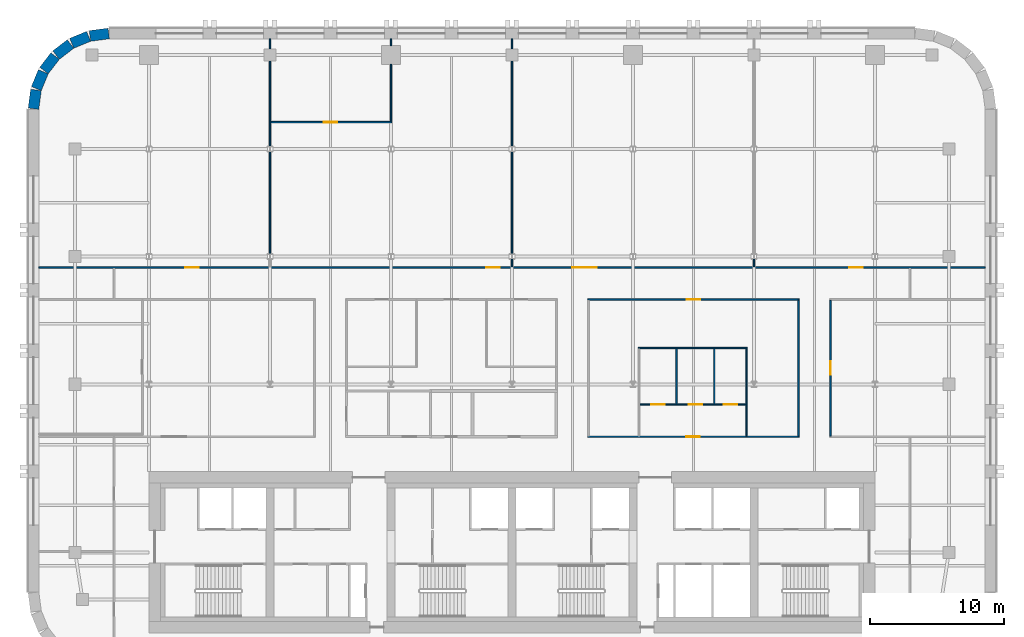
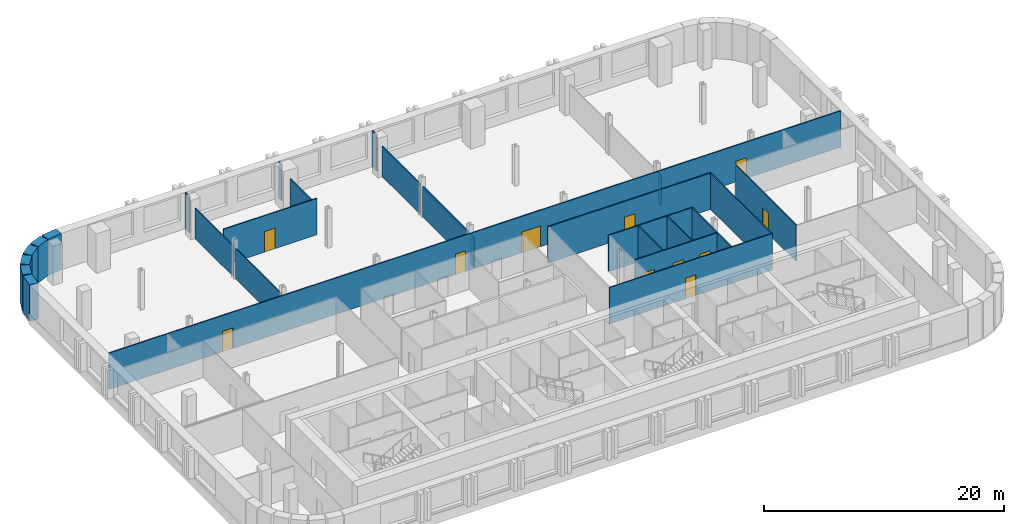
# One storey, part 7 of 11: 27 walls, 11 doors, 11 openings.
"""IFC4 building model written with IfcOpenShell, lengths in metres."""

from ifc_helpers import new_model, si_unit, direction, frame, frame_2d, origin, place, context, subcontext, project, spatial, rectangle, extrude, material, layer, layer_set, type_object, element, fill, save


model = new_model("IFC4")

# Units and contexts
model_context = context("Model", 3, precision=1e-05, world=origin(), true_north=direction((0.0, 1.0)))
body_context = subcontext(model_context, "Body", "Model", "MODEL_VIEW")
ifc_project = project(units=[si_unit("LENGTHUNIT", "METRE"), si_unit("AREAUNIT", "SQUARE_METRE"), si_unit("VOLUMEUNIT", "CUBIC_METRE"), si_unit("PLANEANGLEUNIT", "RADIAN"), si_unit("MASSUNIT", "GRAM", prefix="KILO")], contexts=[model_context])

# Site, building, storey
site_placement = place(None, origin())
site = spatial("IfcSite", under=ifc_project, at=site_placement, CompositionType="ELEMENT")
building_placement = place(site_placement, origin())
building = spatial("IfcBuilding", under=site, at=building_placement, Name="Zellij Exchange Tower", CompositionType="ELEMENT")
storey_placement = place(building_placement, frame((0.0, 0.0, 208.5)))
storey = spatial("IfcBuildingStorey", under=building, at=storey_placement, Name="L48", CompositionType="ELEMENT", Elevation=208.5)

# Walls
ifc_material_1 = material(Name="Precast concrete C40/50", Category="concrete")
ifc_layer_1 = layer(ifc_material_1, 0.800048828125)
ifc_layer_set_1 = layer_set([ifc_layer_1], Name="Precast concrete C40/50")
wall_type_1 = type_object("IfcWallType", Name="ENV-EW1 Precast stone-piered wall 800", PredefinedType="SOLIDWALL", material=ifc_layer_set_1)
wall_1_placement = place(storey_placement, frame((-29.999755859375, 30.5966796875, 0.0), z_axis=(0.0, 0.0, 1.0), x_axis=(-0.99144603414, -0.130517283865, 0.0)))
element("IfcWall", 1, at=wall_1_placement, inside=storey, type_object=wall_type_1, Name="fac.L48.15", PredefinedType="SOLIDWALL", context=body_context, shape_type="SweptSolid", body=[
    extrude(rectangle(XDim=1.408447265625, YDim=0.800048828125, at=frame_2d((0.7041015625, 0.0))), origin(), (0.0, 0.0, 1.0), 3.699951171875),
])
wall_2_placement = place(storey_placement, frame((-31.497314453125, 30.3857421875, 0.0), z_axis=(0.0, 0.0, 1.0), x_axis=(-0.923847774587, -0.38276009378, 0.0)))
element("IfcWall", 2, at=wall_2_placement, inside=storey, type_object=wall_type_1, Name="fac.L48.16", PredefinedType="SOLIDWALL", context=body_context, shape_type="SweptSolid", body=[
    extrude(rectangle(XDim=1.35546875, YDim=0.800048828125, at=frame_2d((0.677734375, 0.0))), origin(), (0.0, 0.0, 1.0), 3.699951171875),
])
for number, where, z_axis, x_axis, name in (
    (3, (-32.840087890625, 29.814697265625, 0.0), (0.0, 0.0, 1.0), (-0.793272915452, -0.608866226366, 0.0), "fac.L48.17"),
    (4, (-33.9892578125, 28.91552734375, 0.0), (0.0, 0.0, 1.0), (-0.608866226366, -0.793272915452, 0.0), "fac.L48.18"),
):
    element("IfcWall", number, at=place(storey_placement, frame(where, z_axis=z_axis, x_axis=x_axis)), inside=storey, type_object=wall_type_1, Name=name, PredefinedType="SOLIDWALL", context=body_context, shape_type="SweptSolid", body=[
        extrude(rectangle(XDim=1.355712890625, YDim=0.800048828125, at=frame_2d((0.677734375, 0.0))), origin(), (0.0, 0.0, 1.0), 3.699951171875),
    ])
wall_3_placement = place(storey_placement, frame((-34.866943359375, 27.74951171875, 0.0), z_axis=(0.0, 0.0, 1.0), x_axis=(-0.38276009378, -0.923847774587, 0.0)))
element("IfcWall", 5, at=wall_3_placement, inside=storey, type_object=wall_type_1, Name="fac.L48.19", PredefinedType="SOLIDWALL", context=body_context, shape_type="SweptSolid", body=[
    extrude(rectangle(XDim=1.35546875, YDim=0.800048828125, at=frame_2d((0.677734375, 0.0))), origin(), (0.0, 0.0, 1.0), 3.699951171875),
])
wall_4_placement = place(storey_placement, frame((-35.412841796875, 26.396240234375, 0.0), z_axis=(0.0, 0.0, 1.0), x_axis=(-0.130517283865, -0.99144603414, 0.0)))
element("IfcWall", 6, at=wall_4_placement, inside=storey, type_object=wall_type_1, Name="fac.L48.20", PredefinedType="SOLIDWALL", context=body_context, shape_type="SweptSolid", body=[
    extrude(rectangle(XDim=1.408447265625, YDim=0.800048828125, at=frame_2d((0.7041015625, 0.0))), origin(), (0.0, 0.0, 1.0), 3.699951171875),
])

# Wall, opening, door
ifc_material_2 = material(Name="Gypsum board partition on steel studs", Category="steel")
ifc_layer_2 = layer(ifc_material_2, 0.10009765625)
ifc_layer_set_2 = layer_set([ifc_layer_2], Name="Gypsum board partition on steel studs")
wall_type_2 = type_object("IfcWallType", Name="FIT-PARTITION-100", PredefinedType="PARTITIONING", material=ifc_layer_set_2)
wall_5_placement = place(storey_placement, frame((5.64990234375, 0.60009765625, 0.0), z_axis=(0.0, 0.0, 1.0), x_axis=(1.0, 0.0, 0.0)))
wall_5 = element("IfcWall", 7, at=wall_5_placement, inside=storey, type_object=wall_type_2, Name="FIT-PARTITION-100 014", PredefinedType="PARTITIONING", context=body_context, shape_type="SweptSolid", body=[
    extrude(rectangle(XDim=15.7001953125, YDim=0.10009765625, at=frame_2d((7.85009765625, 0.0))), origin(), (0.0, 0.0, 1.0), 3.699951171875),
])
opening_1_placement = place(wall_5_placement, frame((7.300048828125, 0.0, 0.0)))
opening_1 = element("IfcOpeningElement", 8, at=opening_1_placement, cuts=wall_5, Name="Opening O3E.08", PredefinedType="OPENING", context=body_context, shape_type="SweptSolid", body=[
    extrude(rectangle(XDim=1.0, YDim=2.10009765625, at=frame_2d((0.5, 1.050048828125))), frame((0.0, 0.06201171875, 0.0), z_axis=(0.0, -1.0, 0.0), x_axis=(1.0, 0.0, 0.0)), (0.0, 0.0, 1.0), 0.1240234375),
])
ifc_material_3 = material(Name="Timber door set", Category="wood")
door_type_1 = type_object("IfcDoorType", Name="FIT-D2-WIDE-1000X2100", OperationType="SINGLE_SWING_LEFT", PredefinedType="DOOR", material=ifc_material_3)
door_1_placement = place(opening_1_placement, origin())
door_1 = element("IfcDoor", 9, at=door_1_placement, inside=storey, type_object=door_type_1, Name="Door O3E.08", OperationType="SINGLE_SWING_RIGHT", OverallHeight=2.10009765625, OverallWidth=1.0, PredefinedType="DOOR", context=body_context, shape_type="SweptSolid", body=[
    extrude(rectangle(XDim=1.0, YDim=2.10009765625, at=frame_2d((0.5, 1.050048828125))), frame((0.0, 0.02490234375, 0.0), z_axis=(0.0, -1.0, 0.0), x_axis=(1.0, 0.0, 0.0)), (0.0, 0.0, 1.0), 0.050048828125),
])
fill(opening_1, door_1)

# Walls
wall_6_placement = place(storey_placement, frame((17.449951171875, 0.64990234375, 0.0), z_axis=(0.0, 0.0, 1.0), x_axis=(0.0, 1.0, 0.0)))
element("IfcWall", 10, at=wall_6_placement, inside=storey, type_object=wall_type_2, Name="FIT-PARTITION-100 017", PredefinedType="PARTITIONING", context=body_context, shape_type="SweptSolid", body=[
    extrude(rectangle(XDim=6.5, YDim=0.10009765625, at=frame_2d((3.25, 0.0))), origin(), (0.0, 0.0, 1.0), 3.699951171875),
])
wall_7_placement = place(storey_placement, frame((21.300048828125, 0.64990234375, 0.0), z_axis=(0.0, 0.0, 1.0), x_axis=(0.0, 1.0, 0.0)))
element("IfcWall", 11, at=wall_7_placement, inside=storey, type_object=wall_type_2, Name="FIT-PARTITION-100 018", PredefinedType="PARTITIONING", context=body_context, shape_type="SweptSolid", body=[
    extrude(rectangle(XDim=10.10009765625, YDim=0.10009765625, at=frame_2d((5.050048828125, 0.0))), origin(), (0.0, 0.0, 1.0), 3.699951171875),
])

# Wall, opening, door
wall_8_placement = place(storey_placement, frame((23.699951171875, 0.64990234375, 0.0), z_axis=(0.0, 0.0, 1.0), x_axis=(0.0, 1.0, 0.0)))
wall_8 = element("IfcWall", 12, at=wall_8_placement, inside=storey, type_object=wall_type_2, Name="FIT-PARTITION-100 020", PredefinedType="PARTITIONING", context=body_context, shape_type="SweptSolid", body=[
    extrude(rectangle(XDim=10.10009765625, YDim=0.10009765625, at=frame_2d((5.050048828125, 0.0))), origin(), (0.0, 0.0, 1.0), 3.699951171875),
])
opening_2_placement = place(wall_8_placement, frame((4.550048828125, 0.0, 0.0)))
opening_2 = element("IfcOpeningElement", 13, at=opening_2_placement, cuts=wall_8, Name="Opening O3E.13", PredefinedType="OPENING", context=body_context, shape_type="SweptSolid", body=[
    extrude(rectangle(XDim=1.0, YDim=2.10009765625, at=frame_2d((0.5, 1.050048828125))), frame((0.0, 0.06201171875, 0.0), z_axis=(0.0, -1.0, 0.0), x_axis=(1.0, 0.0, 0.0)), (0.0, 0.0, 1.0), 0.1240234375),
])
door_2_placement = place(opening_2_placement, origin())
door_2 = element("IfcDoor", 14, at=door_2_placement, inside=storey, type_object=door_type_1, Name="Door O3E.13", OperationType="SINGLE_SWING_LEFT", OverallHeight=2.10009765625, OverallWidth=1.0, PredefinedType="DOOR", context=body_context, shape_type="SweptSolid", body=[
    extrude(rectangle(XDim=1.0, YDim=2.10009765625, at=frame_2d((0.5, 1.050048828125))), frame((0.0, 0.02490234375, 0.0), z_axis=(0.0, -1.0, 0.0), x_axis=(1.0, 0.0, 0.0)), (0.0, 0.0, 1.0), 0.050048828125),
])
fill(opening_2, door_2)

# Wall, openings, doors
wall_9_placement = place(storey_placement, frame((9.5, 3.0, 0.0), z_axis=(0.0, 0.0, 1.0), x_axis=(1.0, 0.0, 0.0)))
wall_9 = element("IfcWall", 15, at=wall_9_placement, inside=storey, type_object=wall_type_2, Name="FIT-PARTITION-100 023", PredefinedType="PARTITIONING", context=body_context, shape_type="SweptSolid", body=[
    extrude(rectangle(XDim=7.89990234375, YDim=0.10009765625, at=frame_2d((3.949951171875, 0.0))), origin(), (0.0, 0.0, 1.0), 3.699951171875),
])
opening_3_placement = place(wall_9_placement, frame((0.85009765625, 0.0, 0.0)))
opening_3 = element("IfcOpeningElement", 16, at=opening_3_placement, cuts=wall_9, Name="Opening O3E.10", PredefinedType="OPENING", context=body_context, shape_type="SweptSolid", body=[
    extrude(rectangle(XDim=1.0, YDim=2.10009765625, at=frame_2d((0.5, 1.050048828125))), frame((0.0, 0.06201171875, 0.0), z_axis=(0.0, -1.0, 0.0), x_axis=(1.0, 0.0, 0.0)), (0.0, 0.0, 1.0), 0.1240234375),
])
opening_4_placement = place(wall_9_placement, frame((3.64990234375, 0.0, 0.0)))
opening_4 = element("IfcOpeningElement", 17, at=opening_4_placement, cuts=wall_9, Name="Opening O3E.11", PredefinedType="OPENING", context=body_context, shape_type="SweptSolid", body=[
    extrude(rectangle(XDim=1.0, YDim=2.10009765625, at=frame_2d((0.5, 1.050048828125))), frame((0.0, 0.06201171875, 0.0), z_axis=(0.0, -1.0, 0.0), x_axis=(1.0, 0.0, 0.0)), (0.0, 0.0, 1.0), 0.1240234375),
])
opening_5_placement = place(wall_9_placement, frame((6.25, 0.0, 0.0)))
opening_5 = element("IfcOpeningElement", 18, at=opening_5_placement, cuts=wall_9, Name="Opening O3E.12", PredefinedType="OPENING", context=body_context, shape_type="SweptSolid", body=[
    extrude(rectangle(XDim=1.0, YDim=2.10009765625, at=frame_2d((0.5, 1.050048828125))), frame((0.0, 0.06201171875, 0.0), z_axis=(0.0, -1.0, 0.0), x_axis=(1.0, 0.0, 0.0)), (0.0, 0.0, 1.0), 0.1240234375),
])
door_3_placement = place(opening_3_placement, origin())
door_3 = element("IfcDoor", 19, at=door_3_placement, inside=storey, type_object=door_type_1, Name="Door O3E.10", OperationType="SINGLE_SWING_RIGHT", OverallHeight=2.10009765625, OverallWidth=1.0, PredefinedType="DOOR", context=body_context, shape_type="SweptSolid", body=[
    extrude(rectangle(XDim=1.0, YDim=2.10009765625, at=frame_2d((0.5, 1.050048828125))), frame((0.0, 0.02490234375, 0.0), z_axis=(0.0, -1.0, 0.0), x_axis=(1.0, 0.0, 0.0)), (0.0, 0.0, 1.0), 0.050048828125),
])
fill(opening_3, door_3)
door_4_placement = place(opening_4_placement, origin())
door_4 = element("IfcDoor", 20, at=door_4_placement, inside=storey, type_object=door_type_1, Name="Door O3E.11", OperationType="SINGLE_SWING_RIGHT", OverallHeight=2.10009765625, OverallWidth=1.0, PredefinedType="DOOR", context=body_context, shape_type="SweptSolid", body=[
    extrude(rectangle(XDim=1.0, YDim=2.10009765625, at=frame_2d((0.5, 1.050048828125))), frame((0.0, 0.02490234375, 0.0), z_axis=(0.0, -1.0, 0.0), x_axis=(1.0, 0.0, 0.0)), (0.0, 0.0, 1.0), 0.050048828125),
])
fill(opening_4, door_4)
door_5_placement = place(opening_5_placement, origin())
door_5 = element("IfcDoor", 21, at=door_5_placement, inside=storey, type_object=door_type_1, Name="Door O3E.12", OperationType="SINGLE_SWING_RIGHT", OverallHeight=2.10009765625, OverallWidth=1.0, PredefinedType="DOOR", context=body_context, shape_type="SweptSolid", body=[
    extrude(rectangle(XDim=1.0, YDim=2.10009765625, at=frame_2d((0.5, 1.050048828125))), frame((0.0, 0.02490234375, 0.0), z_axis=(0.0, -1.0, 0.0), x_axis=(1.0, 0.0, 0.0)), (0.0, 0.0, 1.0), 0.050048828125),
])
fill(opening_5, door_5)

# Walls
for number, where, z_axis, x_axis, name in (
    (22, (12.25, 3.050048828125, 0.0), (0.0, 0.0, 1.0), (0.0, 1.0, 0.0), "FIT-PARTITION-100 024"),
    (23, (15.050048828125, 3.050048828125, 0.0), (0.0, 0.0, 1.0), (0.0, 1.0, 0.0), "FIT-PARTITION-100 025"),
):
    element("IfcWall", number, at=place(storey_placement, frame(where, z_axis=z_axis, x_axis=x_axis)), inside=storey, type_object=wall_type_2, Name=name, PredefinedType="PARTITIONING", context=body_context, shape_type="SweptSolid", body=[
        extrude(rectangle(XDim=4.099853515625, YDim=0.10009765625, at=frame_2d((2.0498046875, 0.0))), origin(), (0.0, 0.0, 1.0), 3.699951171875),
    ])
wall_10_placement = place(storey_placement, frame((9.39990234375, 7.199951171875, 0.0), z_axis=(0.0, 0.0, 1.0), x_axis=(1.0, 0.0, 0.0)))
element("IfcWall", 24, at=wall_10_placement, inside=storey, type_object=wall_type_2, Name="FIT-PARTITION-100 034", PredefinedType="PARTITIONING", context=body_context, shape_type="SweptSolid", body=[
    extrude(rectangle(XDim=8.10009765625, YDim=0.10009765625, at=frame_2d((4.050048828125, 0.0))), origin(), (0.0, 0.0, 1.0), 3.699951171875),
])

# Wall, opening, door
wall_11_placement = place(storey_placement, frame((5.64990234375, 10.800048828125, 0.0), z_axis=(0.0, 0.0, 1.0), x_axis=(1.0, 0.0, 0.0)))
wall_11 = element("IfcWall", 25, at=wall_11_placement, inside=storey, type_object=wall_type_2, Name="FIT-PARTITION-100 038", PredefinedType="PARTITIONING", context=body_context, shape_type="SweptSolid", body=[
    extrude(rectangle(XDim=15.7001953125, YDim=0.10009765625, at=frame_2d((7.85009765625, 0.0))), origin(), (0.0, 0.0, 1.0), 3.699951171875),
])
opening_6_placement = place(wall_11_placement, frame((7.35009765625, 0.0, 0.0)))
opening_6 = element("IfcOpeningElement", 26, at=opening_6_placement, cuts=wall_11, Name="Opening O3E.18", PredefinedType="OPENING", context=body_context, shape_type="SweptSolid", body=[
    extrude(rectangle(XDim=1.0, YDim=2.10009765625, at=frame_2d((0.5, 1.050048828125))), frame((0.0, 0.06201171875, 0.0), z_axis=(0.0, -1.0, 0.0), x_axis=(1.0, 0.0, 0.0)), (0.0, 0.0, 1.0), 0.1240234375),
])
door_6_placement = place(opening_6_placement, origin())
door_6 = element("IfcDoor", 27, at=door_6_placement, inside=storey, type_object=door_type_1, Name="Door O3E.18", OperationType="SINGLE_SWING_LEFT", OverallHeight=2.10009765625, OverallWidth=1.0, PredefinedType="DOOR", context=body_context, shape_type="SweptSolid", body=[
    extrude(rectangle(XDim=1.0, YDim=2.10009765625, at=frame_2d((0.5, 1.050048828125))), frame((0.0, 0.02490234375, 0.0), z_axis=(0.0, -1.0, 0.0), x_axis=(1.0, 0.0, 0.0)), (0.0, 0.0, 1.0), 0.050048828125),
])
fill(opening_6, door_6)

# Wall, openings, doors
wall_12_placement = place(storey_placement, frame((-35.199951171875, 13.199951171875, 0.0), z_axis=(0.0, 0.0, 1.0), x_axis=(1.0, 0.0, 0.0)))
wall_12 = element("IfcWall", 28, at=wall_12_placement, inside=storey, type_object=wall_type_2, Name="FIT-PARTITION-100 041", PredefinedType="PARTITIONING", context=body_context, shape_type="SweptSolid", body=[
    extrude(rectangle(XDim=70.39990234375, YDim=0.10009765625, at=frame_2d((35.199951171875, 0.0))), origin(), (0.0, 0.0, 1.0), 3.699951171875),
])
opening_7_placement = place(wall_12_placement, frame((10.89990234375, 0.0, 0.0)))
opening_7 = element("IfcOpeningElement", 29, at=opening_7_placement, cuts=wall_12, Name="Opening O3E.19", PredefinedType="OPENING", context=body_context, shape_type="SweptSolid", body=[
    extrude(rectangle(XDim=1.0, YDim=2.10009765625, at=frame_2d((0.5, 1.050048828125))), frame((0.0, 0.06201171875, 0.0), z_axis=(0.0, -1.0, 0.0), x_axis=(1.0, 0.0, 0.0)), (0.0, 0.0, 1.0), 0.1240234375),
])
opening_8_placement = place(wall_12_placement, frame((33.300048828125, 0.0, 0.0)))
opening_8 = element("IfcOpeningElement", 30, at=opening_8_placement, cuts=wall_12, Name="Opening O3E.20", PredefinedType="OPENING", context=body_context, shape_type="SweptSolid", body=[
    extrude(rectangle(XDim=1.0, YDim=2.10009765625, at=frame_2d((0.5, 1.050048828125))), frame((0.0, 0.06201171875, 0.0), z_axis=(0.0, -1.0, 0.0), x_axis=(1.0, 0.0, 0.0)), (0.0, 0.0, 1.0), 0.1240234375),
])
opening_9_placement = place(wall_12_placement, frame((39.699951171875, 0.0, 0.0)))
opening_9 = element("IfcOpeningElement", 31, at=opening_9_placement, cuts=wall_12, Name="Opening O3E.21", PredefinedType="OPENING", context=body_context, shape_type="SweptSolid", body=[
    extrude(rectangle(XDim=1.800048828125, YDim=2.10009765625, at=frame_2d((0.89990234375, 1.050048828125))), frame((0.0, 0.06201171875, 0.0), z_axis=(0.0, -1.0, 0.0), x_axis=(1.0, 0.0, 0.0)), (0.0, 0.0, 1.0), 0.1240234375),
])
opening_10_placement = place(wall_12_placement, frame((60.300048828125, 0.0, 0.0)))
opening_10 = element("IfcOpeningElement", 32, at=opening_10_placement, cuts=wall_12, Name="Opening O3E.22", PredefinedType="OPENING", context=body_context, shape_type="SweptSolid", body=[
    extrude(rectangle(XDim=1.0, YDim=2.10009765625, at=frame_2d((0.5, 1.050048828125))), frame((0.0, 0.06201171875, 0.0), z_axis=(0.0, -1.0, 0.0), x_axis=(1.0, 0.0, 0.0)), (0.0, 0.0, 1.0), 0.1240234375),
])
door_7_placement = place(opening_7_placement, origin())
door_7 = element("IfcDoor", 33, at=door_7_placement, inside=storey, type_object=door_type_1, Name="Door O3E.19", OperationType="SINGLE_SWING_RIGHT", OverallHeight=2.10009765625, OverallWidth=1.0, PredefinedType="DOOR", context=body_context, shape_type="SweptSolid", body=[
    extrude(rectangle(XDim=1.0, YDim=2.10009765625, at=frame_2d((0.5, 1.050048828125))), frame((0.0, 0.02490234375, 0.0), z_axis=(0.0, -1.0, 0.0), x_axis=(1.0, 0.0, 0.0)), (0.0, 0.0, 1.0), 0.050048828125),
])
fill(opening_7, door_7)
door_8_placement = place(opening_8_placement, origin())
door_8 = element("IfcDoor", 34, at=door_8_placement, inside=storey, type_object=door_type_1, Name="Door O3E.20", OperationType="SINGLE_SWING_LEFT", OverallHeight=2.10009765625, OverallWidth=1.0, PredefinedType="DOOR", context=body_context, shape_type="SweptSolid", body=[
    extrude(rectangle(XDim=1.0, YDim=2.10009765625, at=frame_2d((0.5, 1.050048828125))), frame((0.0, 0.02490234375, 0.0), z_axis=(0.0, -1.0, 0.0), x_axis=(1.0, 0.0, 0.0)), (0.0, 0.0, 1.0), 0.050048828125),
])
fill(opening_8, door_8)
door_9_placement = place(opening_10_placement, origin())
door_9 = element("IfcDoor", 35, at=door_9_placement, inside=storey, type_object=door_type_1, Name="Door O3E.22", OperationType="SINGLE_SWING_LEFT", OverallHeight=2.10009765625, OverallWidth=1.0, PredefinedType="DOOR", context=body_context, shape_type="SweptSolid", body=[
    extrude(rectangle(XDim=1.0, YDim=2.10009765625, at=frame_2d((0.5, 1.050048828125))), frame((0.0, 0.02490234375, 0.0), z_axis=(0.0, -1.0, 0.0), x_axis=(1.0, 0.0, 0.0)), (0.0, 0.0, 1.0), 0.050048828125),
])
fill(opening_10, door_9)
door_type_2 = type_object("IfcDoorType", Name="FIT-D3-DOUBLE-1800X2100", OperationType="DOUBLE_DOOR_SINGLE_SWING", PredefinedType="DOOR", material=ifc_material_3)
door_10_placement = place(opening_9_placement, origin())
door_10 = element("IfcDoor", 36, at=door_10_placement, inside=storey, type_object=door_type_2, Name="Door O3E.21", OperationType="DOUBLE_DOOR_SINGLE_SWING", OverallHeight=2.10009765625, OverallWidth=1.800048828125, PredefinedType="DOOR", context=body_context, shape_type="SweptSolid", body=[
    extrude(rectangle(XDim=1.800048828125, YDim=2.10009765625, at=frame_2d((0.89990234375, 1.050048828125))), frame((0.0, 0.02490234375, 0.0), z_axis=(0.0, -1.0, 0.0), x_axis=(1.0, 0.0, 0.0)), (0.0, 0.0, 1.0), 0.050048828125),
])
fill(opening_9, door_10)

# Walls
wall_13_placement = place(storey_placement, frame((-18.0, 14.212158203125, 0.0), z_axis=(0.0, 0.0, 1.0), x_axis=(0.0, 1.0, 0.0)))
element("IfcWall", 37, at=wall_13_placement, inside=storey, type_object=wall_type_2, Name="FIT-PARTITION-100 043", PredefinedType="PARTITIONING", context=body_context, shape_type="SweptSolid", body=[
    extrude(rectangle(XDim=7.57568359375, YDim=0.10009765625, at=frame_2d((3.787841796875, 0.0))), origin(), (0.0, 0.0, 1.0), 3.093017578125),
])
wall_14_placement = place(storey_placement, frame((-18.0, 22.212158203125, 0.0), z_axis=(0.0, 0.0, 1.0), x_axis=(0.0, 1.0, 0.0)))
element("IfcWall", 38, at=wall_14_placement, inside=storey, type_object=wall_type_2, Name="FIT-PARTITION-100 044", PredefinedType="PARTITIONING", context=body_context, shape_type="SweptSolid", body=[
    extrude(rectangle(XDim=6.337890625, YDim=0.10009765625, at=frame_2d((3.1689453125, 0.0))), origin(), (0.0, 0.0, 1.0), 3.093017578125),
])
wall_15_placement = place(storey_placement, frame((-18.0, 29.449951171875, 0.0), z_axis=(0.0, 0.0, 1.0), x_axis=(0.0, 1.0, 0.0)))
element("IfcWall", 39, at=wall_15_placement, inside=storey, type_object=wall_type_2, Name="FIT-PARTITION-100 045", PredefinedType="PARTITIONING", context=body_context, shape_type="SweptSolid", body=[
    extrude(rectangle(XDim=0.75, YDim=0.10009765625, at=frame_2d((0.375, 0.0))), origin(), (0.0, 0.0, 1.0), 3.699951171875),
])
wall_16_placement = place(storey_placement, frame((0.0, 13.25, 0.0), z_axis=(0.0, 0.0, 1.0), x_axis=(0.0, 1.0, 0.0)))
element("IfcWall", 40, at=wall_16_placement, inside=storey, type_object=wall_type_2, Name="FIT-PARTITION-100 046", PredefinedType="PARTITIONING", context=body_context, shape_type="SweptSolid", body=[
    extrude(rectangle(XDim=0.537841796875, YDim=0.10009765625, at=frame_2d((0.26904296875, 0.0))), origin(), (0.0, 0.0, 1.0), 3.093017578125),
])
wall_17_placement = place(storey_placement, frame((0.0, 14.212158203125, 0.0), z_axis=(0.0, 0.0, 1.0), x_axis=(0.0, 1.0, 0.0)))
element("IfcWall", 41, at=wall_17_placement, inside=storey, type_object=wall_type_2, Name="FIT-PARTITION-100 047", PredefinedType="PARTITIONING", context=body_context, shape_type="SweptSolid", body=[
    extrude(rectangle(XDim=7.57568359375, YDim=0.10009765625, at=frame_2d((3.787841796875, 0.0))), origin(), (0.0, 0.0, 1.0), 3.093017578125),
])
wall_18_placement = place(storey_placement, frame((0.0, 22.212158203125, 0.0), z_axis=(0.0, 0.0, 1.0), x_axis=(0.0, 1.0, 0.0)))
element("IfcWall", 42, at=wall_18_placement, inside=storey, type_object=wall_type_2, Name="FIT-PARTITION-100 048", PredefinedType="PARTITIONING", context=body_context, shape_type="SweptSolid", body=[
    extrude(rectangle(XDim=6.337890625, YDim=0.10009765625, at=frame_2d((3.1689453125, 0.0))), origin(), (0.0, 0.0, 1.0), 3.093017578125),
])
wall_19_placement = place(storey_placement, frame((0.0, 29.449951171875, 0.0), z_axis=(0.0, 0.0, 1.0), x_axis=(0.0, 1.0, 0.0)))
element("IfcWall", 43, at=wall_19_placement, inside=storey, type_object=wall_type_2, Name="FIT-PARTITION-100 049", PredefinedType="PARTITIONING", context=body_context, shape_type="SweptSolid", body=[
    extrude(rectangle(XDim=0.75, YDim=0.10009765625, at=frame_2d((0.375, 0.0))), origin(), (0.0, 0.0, 1.0), 3.699951171875),
])
wall_20_placement = place(storey_placement, frame((18.0, 13.25, 0.0), z_axis=(0.0, 0.0, 1.0), x_axis=(0.0, 1.0, 0.0)))
element("IfcWall", 44, at=wall_20_placement, inside=storey, type_object=wall_type_2, Name="FIT-PARTITION-100 050", PredefinedType="PARTITIONING", context=body_context, shape_type="SweptSolid", body=[
    extrude(rectangle(XDim=0.537841796875, YDim=0.10009765625, at=frame_2d((0.26904296875, 0.0))), origin(), (0.0, 0.0, 1.0), 3.093017578125),
])

# Wall, opening, door
wall_21_placement = place(storey_placement, frame((-17.949951171875, 24.0, 0.0), z_axis=(0.0, 0.0, 1.0), x_axis=(1.0, 0.0, 0.0)))
wall_21 = element("IfcWall", 45, at=wall_21_placement, inside=storey, type_object=wall_type_2, Name="FIT-PARTITION-100 054", PredefinedType="PARTITIONING", context=body_context, shape_type="SweptSolid", body=[
    extrude(rectangle(XDim=9.0, YDim=0.10009765625, at=frame_2d((4.5, 0.0))), origin(), (0.0, 0.0, 1.0), 3.699951171875),
])
opening_11_placement = place(wall_21_placement, frame((3.949951171875, 0.0, 0.0)))
opening_11 = element("IfcOpeningElement", 46, at=opening_11_placement, cuts=wall_21, Name="Opening O3E.23", PredefinedType="OPENING", context=body_context, shape_type="SweptSolid", body=[
    extrude(rectangle(XDim=1.0, YDim=2.10009765625, at=frame_2d((0.5, 1.050048828125))), frame((0.0, 0.06201171875, 0.0), z_axis=(0.0, -1.0, 0.0), x_axis=(1.0, 0.0, 0.0)), (0.0, 0.0, 1.0), 0.1240234375),
])
door_11_placement = place(opening_11_placement, origin())
door_11 = element("IfcDoor", 47, at=door_11_placement, inside=storey, type_object=door_type_1, Name="Door O3E.23", OperationType="SINGLE_SWING_RIGHT", OverallHeight=2.10009765625, OverallWidth=1.0, PredefinedType="DOOR", context=body_context, shape_type="SweptSolid", body=[
    extrude(rectangle(XDim=1.0, YDim=2.10009765625, at=frame_2d((0.5, 1.050048828125))), frame((0.0, 0.02490234375, 0.0), z_axis=(0.0, -1.0, 0.0), x_axis=(1.0, 0.0, 0.0)), (0.0, 0.0, 1.0), 0.050048828125),
])
fill(opening_11, door_11)

# Walls
wall_22_placement = place(storey_placement, frame((-9.0, 24.050048828125, 0.0), z_axis=(0.0, 0.0, 1.0), x_axis=(0.0, 1.0, 0.0)))
element("IfcWall", 48, at=wall_22_placement, inside=storey, type_object=wall_type_2, Name="FIT-PARTITION-100 055", PredefinedType="PARTITIONING", context=body_context, shape_type="SweptSolid", body=[
    extrude(rectangle(XDim=4.25, YDim=0.10009765625, at=frame_2d((2.125, 0.0))), origin(), (0.0, 0.0, 1.0), 3.093017578125),
])
wall_23_placement = place(storey_placement, frame((-9.0, 29.699951171875, 0.0), z_axis=(0.0, 0.0, 1.0), x_axis=(0.0, 1.0, 0.0)))
element("IfcWall", 49, at=wall_23_placement, inside=storey, type_object=wall_type_2, Name="FIT-PARTITION-100 056", PredefinedType="PARTITIONING", context=body_context, shape_type="SweptSolid", body=[
    extrude(rectangle(XDim=0.5, YDim=0.10009765625, at=frame_2d((0.25, 0.0))), origin(), (0.0, 0.0, 1.0), 3.699951171875),
])

save(model, "model.ifc")
